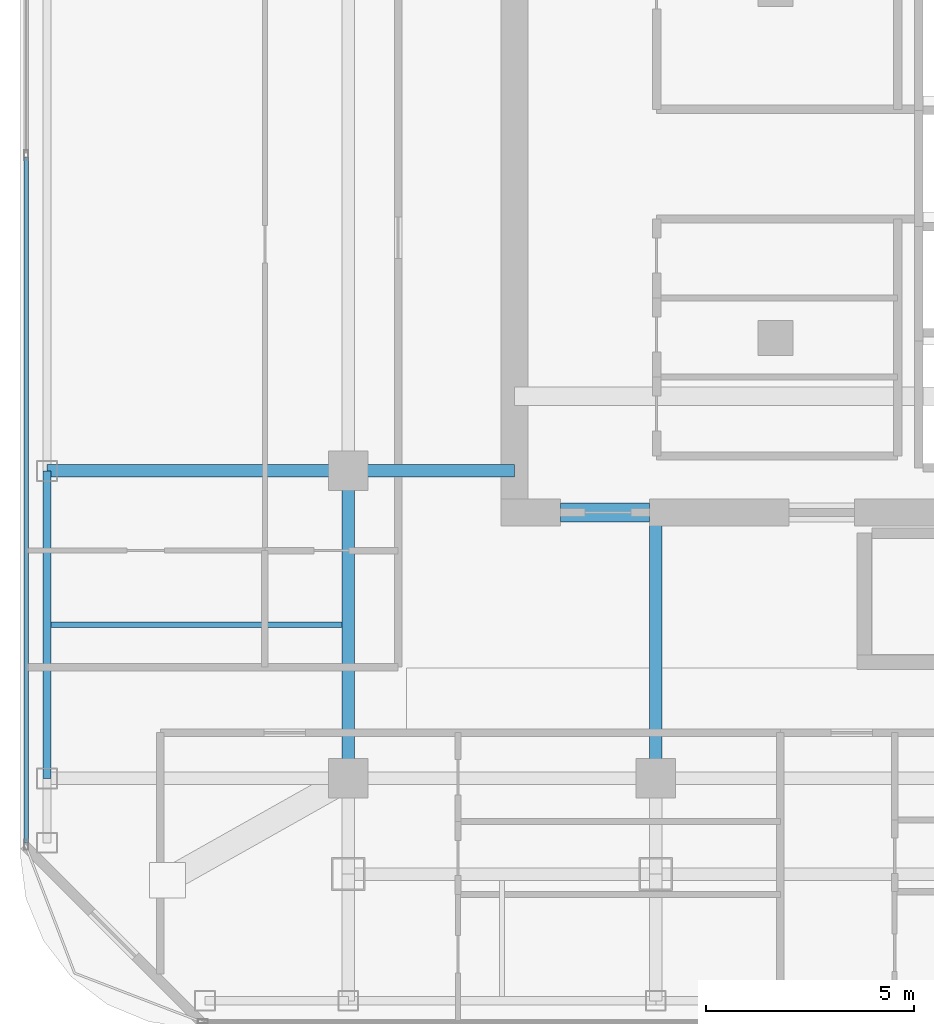
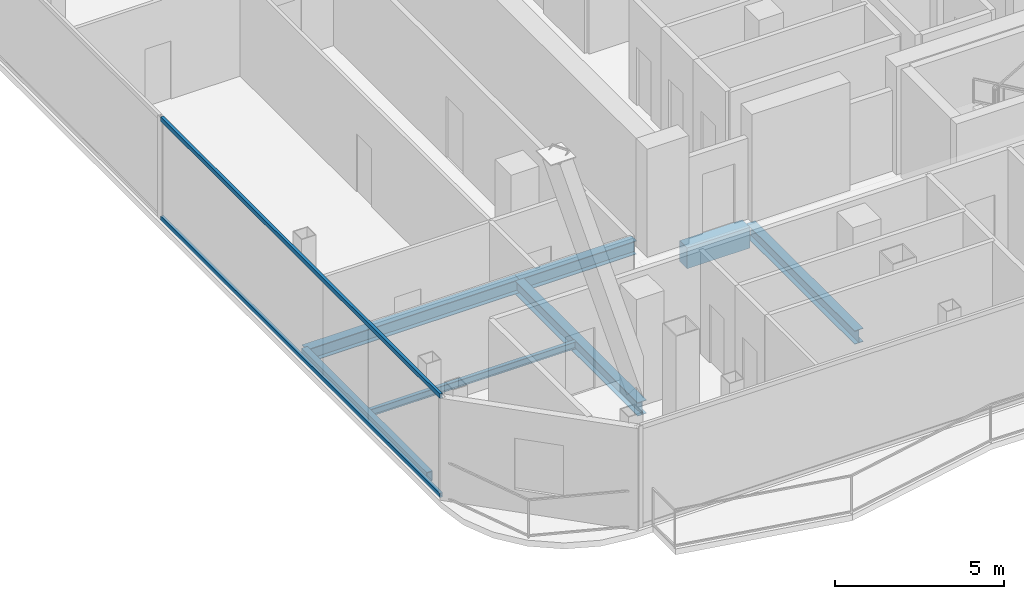
# One storey, part 3 of 24: 7 beams, 2 members, 1 element without a shape of its own.
"""IFC4 building model written with IfcOpenShell, lengths in metres."""

from ifc_helpers import new_model, si_unit, direction, frame, origin, origin_2d, place, context, subcontext, project, spatial, rectangle, hollow_rectangle, i_section, extrude, material, layer, layer_set, material_profile, profile_set, type_object, element, aggregate, save


model = new_model("IFC4")

# Units and contexts
model_context = context("Model", 3, precision=1e-05, world=origin(), true_north=direction((0.0, 1.0)))
body_context = subcontext(model_context, "Body", "Model", "MODEL_VIEW")
ifc_project = project(units=[si_unit("LENGTHUNIT", "METRE"), si_unit("AREAUNIT", "SQUARE_METRE"), si_unit("VOLUMEUNIT", "CUBIC_METRE"), si_unit("PLANEANGLEUNIT", "RADIAN"), si_unit("MASSUNIT", "GRAM", prefix="KILO")], contexts=[model_context])

# Site, building, storey
site_placement = place(None, origin())
site = spatial("IfcSite", under=ifc_project, at=site_placement, CompositionType="ELEMENT")
building_placement = place(site_placement, origin())
building = spatial("IfcBuilding", under=site, at=building_placement, Name="Khorvyn Point Tower", CompositionType="ELEMENT")
storey_placement = place(building_placement, frame((0.0, 0.0, 301.5)))
storey = spatial("IfcBuildingStorey", under=building, at=storey_placement, Name="L74", CompositionType="ELEMENT", Elevation=301.5)

# Curtain wall, members
ifc_material_1 = material(Name="Anodised aluminium 6063-T6 and laminated Low-E glass", Category="aluminium")
ifc_layer = layer(ifc_material_1, 0.18994140625)
ifc_layer_set = layer_set([ifc_layer], Name="Stick-Built High-Wind Curtain Wall CW-SYS-04")
curtain_wall_type = type_object("IfcCurtainWallType", Name="Stick-Built High-Wind Curtain Wall CW-SYS-04", PredefinedType="NOTDEFINED", material=ifc_layer_set)
curtain_wall_placement = place(storey_placement, origin())
curtain_wall = element("IfcCurtainWall", 1, at=curtain_wall_placement, inside=storey, type_object=curtain_wall_type, Name="Curtain Wall", PredefinedType="NOTDEFINED")
ifc_material_2 = material(Name="Anodised aluminium 6063-T6", Category="aluminium")
ifc_material_profile_1 = material_profile(ifc_material_2, hollow_rectangle(XDim=0.10009765625, YDim=0.159912109375, WallThickness=0.00439453125, at=origin_2d()))
ifc_profile_set_1 = profile_set([ifc_material_profile_1], Name="Anodised aluminium 6063-T6 ALU-TRN-100x160")
member_type = type_object("IfcMemberType", Name="Anodised Aluminium 6063-T6 Transom ALU-TRN-100x160", PredefinedType="USERDEFINED", material=ifc_profile_set_1)
member_1_placement = place(storey_placement, frame((-22.550048828125, -16.35009765625, 0.050048828125), z_axis=(0.0, 1.0, 0.0), x_axis=(-1.0, 0.0, 0.0)))
member_1 = element("IfcMember", 2, at=member_1_placement, type_object=member_type, Name="Transom", ObjectType="TRANSOM", PredefinedType="USERDEFINED", context=body_context, shape_type="SweptSolid", body=[
    extrude(hollow_rectangle(XDim=0.10009765625, YDim=0.159912109375, WallThickness=0.00439453125, at=origin_2d()), origin(), (0.0, 0.0, 1.0), 16.5),
])
member_2_placement = place(storey_placement, frame((-22.550048828125, -16.35009765625, 3.6298828125), z_axis=(0.0, 1.0, 0.0), x_axis=(-1.0, 0.0, 0.0)))
member_2 = element("IfcMember", 3, at=member_2_placement, type_object=member_type, Name="Transom", ObjectType="TRANSOM", PredefinedType="USERDEFINED", context=body_context, shape_type="SweptSolid", body=[
    extrude(hollow_rectangle(XDim=0.10009765625, YDim=0.159912109375, WallThickness=0.00439453125, at=origin_2d()), origin(), (0.0, 0.0, 1.0), 16.5),
])
aggregate(curtain_wall, [member_1, member_2])

# Beams
ifc_material_3 = material(Name="Concrete C40/50", Category="concrete")
ifc_material_profile_2 = material_profile(ifc_material_3, rectangle(XDim=0.449951171875, YDim=0.75, at=origin_2d()))
ifc_profile_set_2 = profile_set([ifc_material_profile_2], Name="Concrete C40/50 RC450x750")
beam_type_1 = type_object("IfcBeamType", Name="Concrete C40/50 Beam RC450x750", PredefinedType="BEAM", material=ifc_profile_set_2)
beam_1_placement = place(storey_placement, frame((-9.699951171875, -8.39990234375, -0.594970703125), z_axis=(1.0, 0.0, 0.0), x_axis=(0.0, 1.0, 0.0)))
element("IfcBeam", 4, at=beam_1_placement, inside=storey, type_object=beam_type_1, Name="L74 Core Southwest Portal Coupling Beam", PredefinedType="BEAM", context=body_context, shape_type="SweptSolid", body=[
    extrude(rectangle(XDim=0.449951171875, YDim=0.75, at=origin_2d()), origin(), (0.0, 0.0, 1.0), 2.14990234375),
])
ifc_material_4 = material(Name="Steel S355", Category="steel")
ifc_material_profile_3 = material_profile(ifc_material_4, i_section(OverallWidth=0.125, OverallDepth=0.25, WebThickness=0.006103515625, FlangeThickness=0.009033203125, at=origin_2d()))
ifc_profile_set_3 = profile_set([ifc_material_profile_3], Name="Steel S355 H250x125x6x9")
beam_type_2 = type_object("IfcBeamType", Name="Steel S355 Joist H250x125x6x9", PredefinedType="JOIST", material=ifc_profile_set_3)
beam_2_placement = place(storey_placement, frame((-21.949951171875, -11.10009765625, -0.344970703125), z_axis=(1.0, 0.0, 0.0), x_axis=(0.0, 1.0, 0.0)))
element("IfcBeam", 5, at=beam_2_placement, inside=storey, type_object=beam_type_2, Name="Beam", PredefinedType="JOIST", context=body_context, shape_type="SweptSolid", body=[
    extrude(i_section(OverallWidth=0.125, OverallDepth=0.25, WebThickness=0.006103515625, FlangeThickness=0.009033203125, at=origin_2d()), origin(), (0.0, 0.0, 1.0), 7.0),
])
ifc_material_profile_4 = material_profile(ifc_material_4, i_section(OverallWidth=0.300048828125, OverallDepth=0.488037109375, WebThickness=0.010986328125, FlangeThickness=0.01806640625, at=origin_2d()))
ifc_profile_set_4 = profile_set([ifc_material_profile_4], Name="Steel S355 H488x300x11x18")
beam_type_3 = type_object("IfcBeamType", Name="Steel S355 Spandrel H488x300x11x18", PredefinedType="SPANDREL", material=ifc_profile_set_4)
beam_3_placement = place(storey_placement, frame((-22.050048828125, -7.39990234375, -0.464111328125), z_axis=(1.0, 0.0, 0.0), x_axis=(0.0, 1.0, 0.0)))
element("IfcBeam", 6, at=beam_3_placement, inside=storey, type_object=beam_type_3, Name="Beam", PredefinedType="SPANDREL", context=body_context, shape_type="SweptSolid", body=[
    extrude(i_section(OverallWidth=0.300048828125, OverallDepth=0.488037109375, WebThickness=0.010986328125, FlangeThickness=0.01806640625, at=origin_2d()), origin(), (0.0, 0.0, 1.0), 7.25),
])
beam_4_placement = place(storey_placement, frame((-14.800048828125, -7.39990234375, -0.464111328125), z_axis=(1.0, 0.0, 0.0), x_axis=(0.0, 1.0, 0.0)))
element("IfcBeam", 7, at=beam_4_placement, inside=storey, type_object=beam_type_3, Name="Beam", PredefinedType="SPANDREL", context=body_context, shape_type="SweptSolid", body=[
    extrude(i_section(OverallWidth=0.300048828125, OverallDepth=0.488037109375, WebThickness=0.010986328125, FlangeThickness=0.01806640625, at=origin_2d()), origin(), (0.0, 0.0, 1.0), 4.0),
])
beam_5_placement = place(storey_placement, frame((-14.800048828125, -14.800048828125, -0.464111328125), z_axis=(0.0, 1.0, 0.0), x_axis=(-1.0, 0.0, 0.0)))
element("IfcBeam", 8, at=beam_5_placement, inside=storey, type_object=beam_type_3, Name="Beam", PredefinedType="SPANDREL", context=body_context, shape_type="SweptSolid", body=[
    extrude(i_section(OverallWidth=0.300048828125, OverallDepth=0.488037109375, WebThickness=0.010986328125, FlangeThickness=0.01806640625, at=origin_2d()), origin(), (0.0, 0.0, 1.0), 7.400146484375),
])
beam_6_placement = place(storey_placement, frame((-7.39990234375, -14.800048828125, -0.464111328125), z_axis=(0.0, 1.0, 0.0), x_axis=(-1.0, 0.0, 0.0)))
element("IfcBeam", 9, at=beam_6_placement, inside=storey, type_object=beam_type_3, Name="Beam", PredefinedType="SPANDREL", context=body_context, shape_type="SweptSolid", body=[
    extrude(i_section(OverallWidth=0.300048828125, OverallDepth=0.488037109375, WebThickness=0.010986328125, FlangeThickness=0.01806640625, at=origin_2d()), origin(), (0.0, 0.0, 1.0), 6.400146484375),
])
ifc_material_profile_5 = material_profile(ifc_material_4, hollow_rectangle(XDim=0.199951171875, YDim=0.35009765625, WallThickness=0.013916015625, at=origin_2d()))
ifc_profile_set_5 = profile_set([ifc_material_profile_5], Name="Steel S355 RHS350x200x14")
beam_type_4 = type_object("IfcBeamType", Name="Steel S355 Spandrel RHS350x200x14", PredefinedType="SPANDREL", material=ifc_profile_set_5)
beam_7_placement = place(storey_placement, frame((-22.050048828125, -14.800048828125, -0.39501953125), z_axis=(0.0, 1.0, 0.0), x_axis=(-1.0, 0.0, 0.0)))
element("IfcBeam", 10, at=beam_7_placement, inside=storey, type_object=beam_type_4, Name="Beam", PredefinedType="SPANDREL", context=body_context, shape_type="SweptSolid", body=[
    extrude(hollow_rectangle(XDim=0.199951171875, YDim=0.35009765625, WallThickness=0.013916015625, at=origin_2d()), origin(), (0.0, 0.0, 1.0), 7.400146484375),
])

save(model, "model.ifc")
